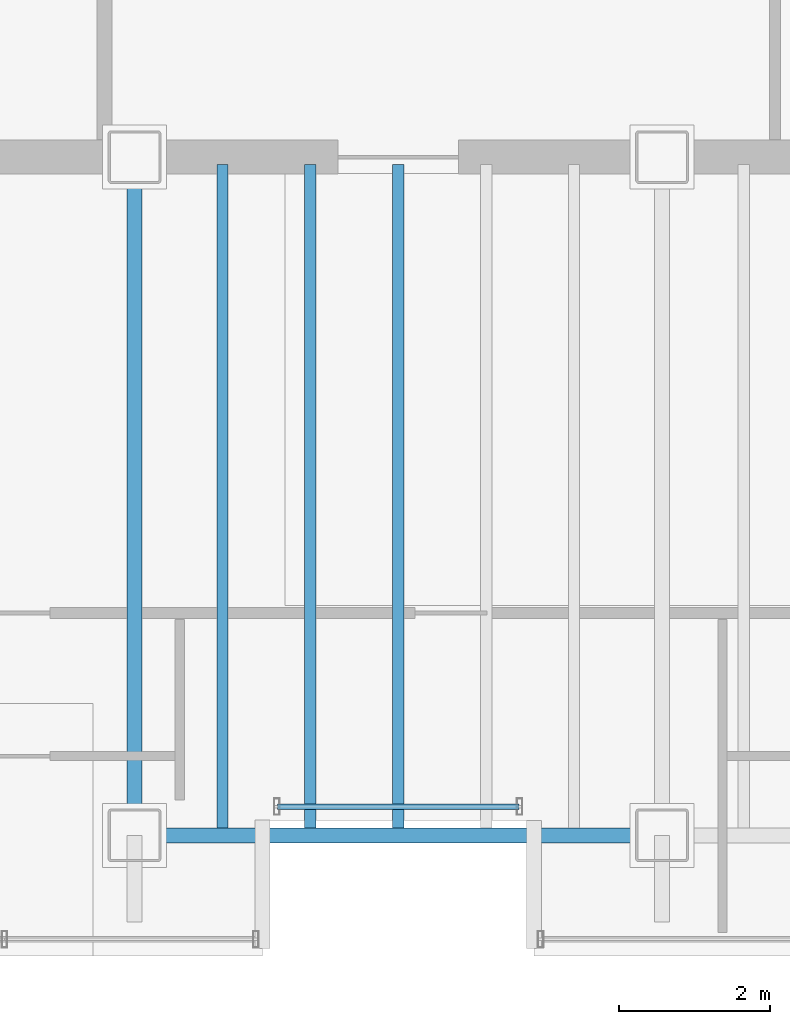
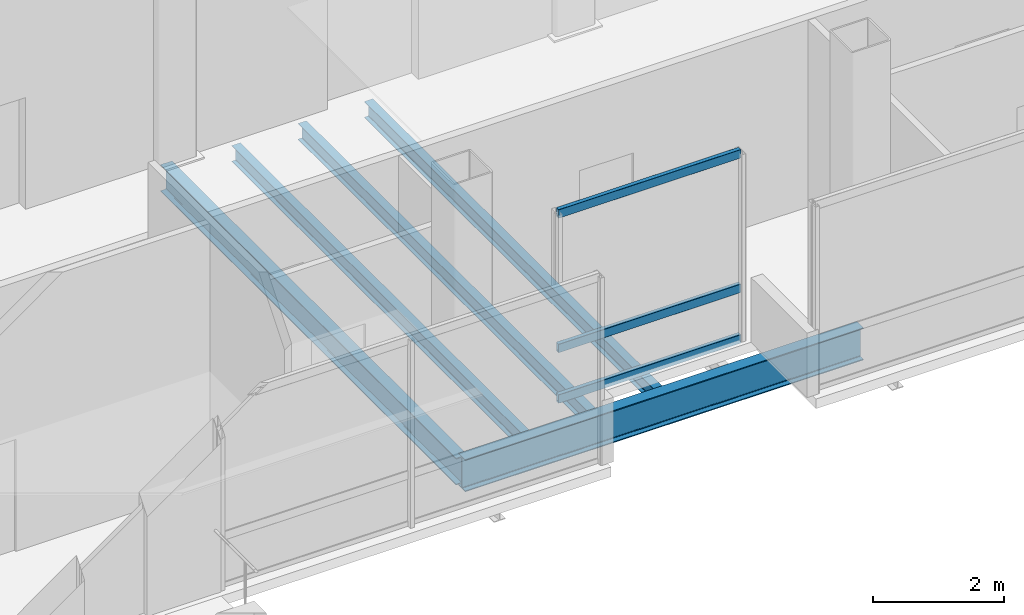
# One storey, part 3 of 17: 5 beams, 3 members, 1 element without a shape of its own.
"""IFC4 building model written with IfcOpenShell, lengths in metres."""

from ifc_helpers import new_model, si_unit, direction, frame, origin, origin_2d, place, context, subcontext, project, spatial, hollow_rectangle, i_section, extrude, material, material_profile, profile_set, type_object, element, aggregate, save


model = new_model("IFC4")

# Units and contexts
model_context = context("Model", 3, precision=1e-05, world=origin(), true_north=direction((0.0, 1.0)))
body_context = subcontext(model_context, "Body", "Model", "MODEL_VIEW")
ifc_project = project(units=[si_unit("LENGTHUNIT", "METRE"), si_unit("AREAUNIT", "SQUARE_METRE"), si_unit("VOLUMEUNIT", "CUBIC_METRE"), si_unit("PLANEANGLEUNIT", "RADIAN"), si_unit("MASSUNIT", "GRAM", prefix="KILO")], contexts=[model_context])

# Site, building, storey
site_placement = place(None, origin())
site = spatial("IfcSite", under=ifc_project, at=site_placement, CompositionType="ELEMENT")
building_placement = place(site_placement, origin())
building = spatial("IfcBuilding", under=site, at=building_placement, Name="Noeulbin Bourse Tower", CompositionType="ELEMENT")
storey_placement = place(building_placement, frame((0.0, 0.0, 300.800048828125)))
storey = spatial("IfcBuildingStorey", under=building, at=storey_placement, Name="L75", CompositionType="ELEMENT", Elevation=300.800048828125)

# Beams
ifc_material_1 = material(Name="Steel S355", Category="steel")
ifc_material_profile_1 = material_profile(ifc_material_1, i_section(OverallWidth=0.199951171875, OverallDepth=0.5, WebThickness=0.010009765625, FlangeThickness=0.01611328125, FilletRadius=0.02001953125, at=origin_2d()), Name="H-500x200x10x16", Category="LoadBearing")
ifc_profile_set_1 = profile_set([ifc_material_profile_1], Name="Steel S355")
beam_type_1 = type_object("IfcBeamType", Name="BM-GRD-500", PredefinedType="USERDEFINED", material=ifc_profile_set_1)
beam_1_placement = place(storey_placement, frame((24.0, 20.0, -0.429931640625), z_axis=(0.0, 1.0, 0.0), x_axis=(-1.0, 0.0, 0.0)))
element("IfcBeam", 1, at=beam_1_placement, inside=storey, type_object=beam_type_1, Name="Tower Primary Girder NS L75-2.2", ObjectType="GIRDER", PredefinedType="USERDEFINED", context=body_context, shape_type="SweptSolid", body=[
    extrude(i_section(OverallWidth=0.199951171875, OverallDepth=0.5, WebThickness=0.010009765625, FlangeThickness=0.01611328125, FilletRadius=0.02001953125, at=origin_2d()), origin(), (0.0, 0.0, 1.0), 9.0),
])
ifc_material_profile_2 = material_profile(ifc_material_1, i_section(OverallWidth=0.199951171875, OverallDepth=0.60009765625, WebThickness=0.010986328125, FlangeThickness=0.01708984375, FilletRadius=0.02197265625, at=origin_2d()), Name="H-600x200x11x17", Category="LoadBearing")
ifc_profile_set_2 = profile_set([ifc_material_profile_2], Name="Steel S355")
beam_type_2 = type_object("IfcBeamType", Name="BM-GRD-600", PredefinedType="USERDEFINED", material=ifc_profile_set_2)
beam_2_placement = place(storey_placement, frame((24.0, 20.0, -0.47998046875), z_axis=(1.0, 0.0, 0.0), x_axis=(0.0, 1.0, 0.0)))
element("IfcBeam", 2, at=beam_2_placement, inside=storey, type_object=beam_type_2, Name="Tower Primary Girder EW L75-1.1", ObjectType="GIRDER", PredefinedType="USERDEFINED", context=body_context, shape_type="SweptSolid", body=[
    extrude(i_section(OverallWidth=0.199951171875, OverallDepth=0.60009765625, WebThickness=0.010986328125, FlangeThickness=0.01708984375, FilletRadius=0.02197265625, at=origin_2d()), origin(), (0.0, 0.0, 1.0), 7.0),
])
ifc_material_profile_3 = material_profile(ifc_material_1, i_section(OverallWidth=0.14990234375, OverallDepth=0.300048828125, WebThickness=0.006591796875, FlangeThickness=0.009033203125, FilletRadius=0.012939453125, at=origin_2d()), Name="H-300x150x6.5x9", Category="LoadBearing")
ifc_profile_set_3 = profile_set([ifc_material_profile_3], Name="Steel S355")
beam_type_3 = type_object("IfcBeamType", Name="BM-JST-300", PredefinedType="JOIST", material=ifc_profile_set_3)
for number, where, z_axis, x_axis, name in (
    (3, (25.166748046875, 20.10009765625, -0.330078125), (0.0, 1.0, 0.0), (-1.0, 0.0, 0.0), "Tower Composite Joist L75-01"),
    (4, (26.333251953125, 20.10009765625, -0.330078125), (0.0, 1.0, 0.0), (-1.0, 0.0, 0.0), "Tower Composite Joist L75-03"),
    (5, (27.5, 20.10009765625, -0.330078125), (0.0, 1.0, 0.0), (-1.0, 0.0, 0.0), "Tower Composite Joist L75-05"),
):
    element("IfcBeam", number, at=place(storey_placement, frame(where, z_axis=z_axis, x_axis=x_axis)), inside=storey, type_object=beam_type_3, Name=name, PredefinedType="JOIST", context=body_context, shape_type="SweptSolid", body=[
        extrude(i_section(OverallWidth=0.14990234375, OverallDepth=0.300048828125, WebThickness=0.006591796875, FlangeThickness=0.009033203125, FilletRadius=0.012939453125, at=origin_2d()), origin(), (0.0, 0.0, 1.0), 8.7998046875),
    ])

# Curtain wall, members
ifc_material_2 = material(Name="High-Selectivity Low-Iron Glazing", Category="glass")
curtain_wall_type = type_object("IfcCurtainWallType", Name="CW-SYS-4", PredefinedType="NOTDEFINED", material=ifc_material_2)
curtain_wall_placement = place(storey_placement, origin())
curtain_wall = element("IfcCurtainWall", 6, at=curtain_wall_placement, inside=storey, type_object=curtain_wall_type, Name="Unitised Curtain Wall CW-L75-SREC", PredefinedType="NOTDEFINED")
ifc_material_3 = material(Name="Anodised Aluminium 6063-T6", Category="aluminium")
ifc_material_profile_4 = material_profile(ifc_material_3, hollow_rectangle(XDim=0.074951171875, YDim=0.159912109375, WallThickness=0.0048828125, InnerFilletRadius=0.00244140625, OuterFilletRadius=0.0048828125, at=origin_2d()), Name="ALU-TRAN-75x160x5", Category="LoadBearing")
ifc_profile_set_4 = profile_set([ifc_material_profile_4], Name="Anodised Aluminium 6063-T6")
member_type = type_object("IfcMemberType", Name="CW-SYS-4-TRN", PredefinedType="USERDEFINED", material=ifc_profile_set_4)
member_1_placement = place(storey_placement, frame((25.89990234375, 20.3798828125, 0.010009765625), z_axis=(1.0, 0.0, 0.0), x_axis=(0.0, 1.0, 0.0)))
member_1 = element("IfcMember", 7, at=member_1_placement, type_object=member_type, Name="Curtain Wall Transom CW-L75-SREC-T00", ObjectType="TRANSOM", PredefinedType="USERDEFINED", context=body_context, shape_type="SweptSolid", body=[
    extrude(hollow_rectangle(XDim=0.074951171875, YDim=0.159912109375, WallThickness=0.0048828125, InnerFilletRadius=0.00244140625, OuterFilletRadius=0.0048828125, at=origin_2d()), origin(), (0.0, 0.0, 1.0), 3.2001953125),
])
member_2_placement = place(storey_placement, frame((25.89990234375, 20.3798828125, 0.949951171875), z_axis=(1.0, 0.0, 0.0), x_axis=(0.0, 1.0, 0.0)))
member_2 = element("IfcMember", 8, at=member_2_placement, type_object=member_type, Name="Curtain Wall Transom CW-L75-SREC-T01", ObjectType="TRANSOM", PredefinedType="USERDEFINED", context=body_context, shape_type="SweptSolid", body=[
    extrude(hollow_rectangle(XDim=0.074951171875, YDim=0.159912109375, WallThickness=0.0048828125, InnerFilletRadius=0.00244140625, OuterFilletRadius=0.0048828125, at=origin_2d()), origin(), (0.0, 0.0, 1.0), 3.2001953125),
])
member_3_placement = place(storey_placement, frame((25.89990234375, 20.3798828125, 3.449951171875), z_axis=(1.0, 0.0, 0.0), x_axis=(0.0, 1.0, 0.0)))
member_3 = element("IfcMember", 9, at=member_3_placement, type_object=member_type, Name="Curtain Wall Transom CW-L75-SREC-T02", ObjectType="TRANSOM", PredefinedType="USERDEFINED", context=body_context, shape_type="SweptSolid", body=[
    extrude(hollow_rectangle(XDim=0.074951171875, YDim=0.159912109375, WallThickness=0.0048828125, InnerFilletRadius=0.00244140625, OuterFilletRadius=0.0048828125, at=origin_2d()), origin(), (0.0, 0.0, 1.0), 3.2001953125),
])
aggregate(curtain_wall, [member_1, member_2, member_3])

save(model, "model.ifc")
